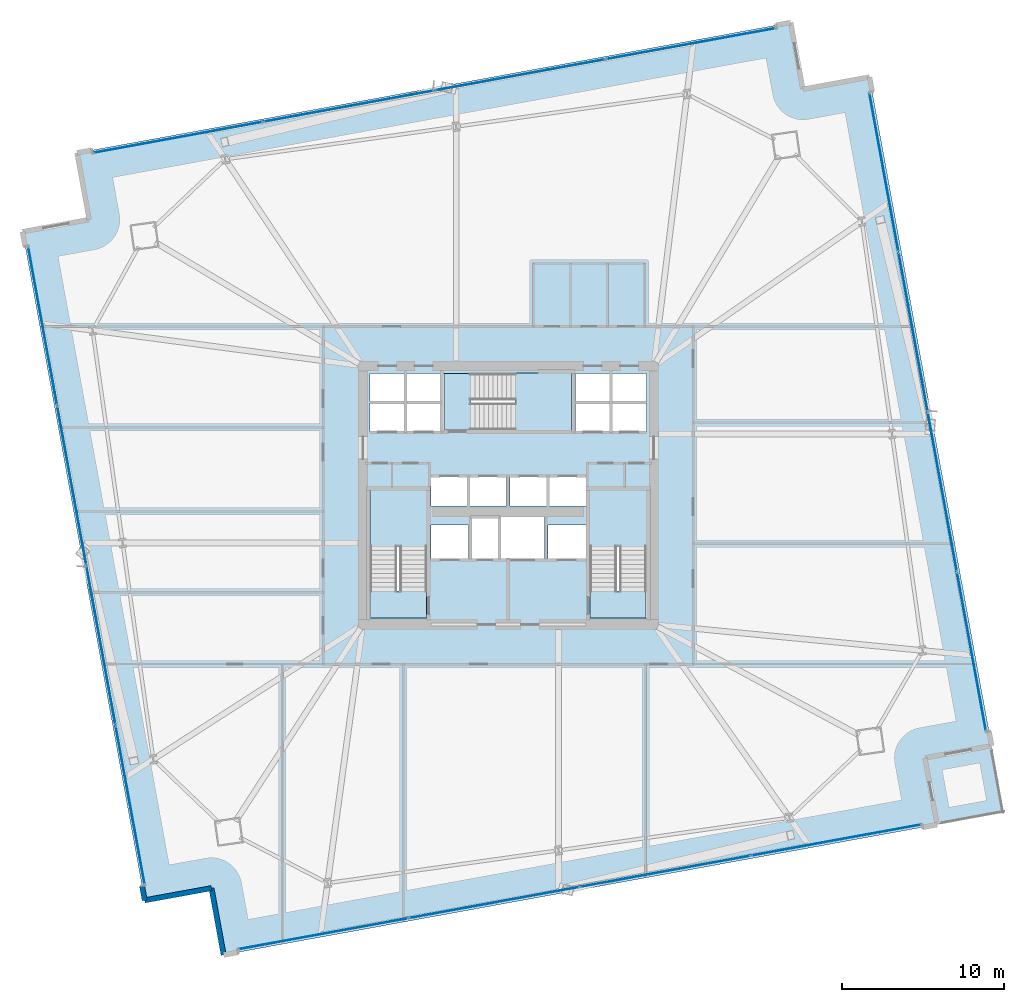
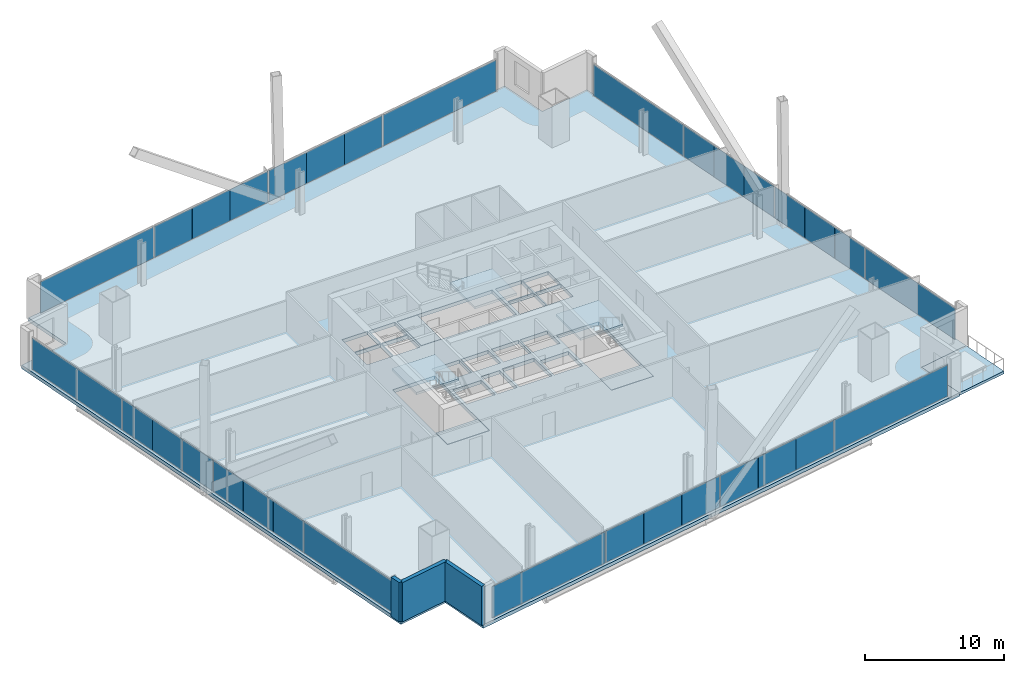
# One storey, part 25 of 34: 32 plates, 8 slabs, 3 walls, 7 elements without a shape of their own.
"""IFC4 building model written with IfcOpenShell, lengths in metres."""

from ifc_helpers import new_model, si_unit, direction, frame, frame_2d, origin, origin_2d, place, context, subcontext, project, spatial, polyline, rectangle, outline, extrude, source, transform, mapped, material, layer, layer_set, type_object, element, aggregate, save


model = new_model("IFC4")

# Units and contexts
model_context = context("Model", 3, precision=1e-05, world=origin(), true_north=direction((0.0, 1.0)))
body_context = subcontext(model_context, "Body", "Model", "MODEL_VIEW")
ifc_project = project(units=[si_unit("LENGTHUNIT", "METRE"), si_unit("AREAUNIT", "SQUARE_METRE"), si_unit("VOLUMEUNIT", "CUBIC_METRE"), si_unit("PLANEANGLEUNIT", "RADIAN"), si_unit("MASSUNIT", "GRAM", prefix="KILO")], contexts=[model_context])

# Site, building, storey
site_placement = place(None, origin())
site = spatial("IfcSite", under=ifc_project, at=site_placement, CompositionType="ELEMENT")
building_placement = place(site_placement, origin())
building = spatial("IfcBuilding", under=site, at=building_placement, Name="Haldenkirk Collegiate Tower", CompositionType="ELEMENT")
storey_placement = place(building_placement, frame((0.0, 0.0, 62.699951171875)))
storey = spatial("IfcBuildingStorey", under=building, at=storey_placement, Name="L14", CompositionType="ELEMENT", Elevation=62.699951171875)

# Slab
ifc_material_1 = material(Name="Concrete f'c 40 MPa", Category="concrete")
ifc_layer_1 = layer(ifc_material_1, 0.31005859375)
ifc_layer_set_1 = layer_set([ifc_layer_1], Name="Concrete f'c 40 MPa")
slab_type_1 = type_object("IfcSlabType", Name="SLB-FLR-310", PredefinedType="FLOOR", material=ifc_layer_set_1)
slab_1_placement = place(storey_placement, frame((0.0, 0.0, -0.31005859375)))
element("IfcSlab", 1, at=slab_1_placement, inside=storey, type_object=slab_type_1, Name="L14 composite structural floor slab", PredefinedType="FLOOR", context=body_context, shape_type="SweptSolid", body=[
    extrude(outline(polyline([(18.37548828125, -2.454345703125), (62.544921875, 5.6123046875), (61.790283203125, 9.743896484375), (65.921875, 10.49853515625), (58.362548828125, 51.888916015625), (54.23095703125, 51.134521484375), (53.476318359375, 55.26611328125), (9.306884765625, 47.19921875), (10.0615234375, 43.067626953125), (5.929931640625, 42.31298828125), (13.489013671875, 0.922607421875), (17.620849609375, 1.67724609375), (18.37548828125, -2.454345703125)]), holes=[polyline([(27.449951171875, 18.39990234375), (30.949951171875, 18.39990234375), (30.949951171875, 26.300048828125), (27.449951171875, 26.300048828125), (27.449951171875, 18.39990234375)]), polyline([(41.050048828125, 18.39990234375), (44.550048828125, 18.39990234375), (44.550048828125, 26.300048828125), (41.050048828125, 26.300048828125), (41.050048828125, 18.39990234375)]), polyline([(32.0, 30.050048828125), (39.89990234375, 30.050048828125), (39.89990234375, 33.550048828125), (32.0, 33.550048828125), (32.0, 30.050048828125)]), polyline([(33.75, 22.10009765625), (35.35009765625, 22.10009765625), (35.35009765625, 24.550048828125), (33.75, 24.550048828125), (33.75, 22.10009765625)]), polyline([(27.449951171875, 29.949951171875), (29.580078125, 29.949951171875), (29.580078125, 31.699951171875), (27.449951171875, 31.699951171875), (27.449951171875, 29.949951171875)]), polyline([(29.679931640625, 29.949951171875), (31.85009765625, 29.949951171875), (31.85009765625, 31.699951171875), (29.679931640625, 31.699951171875), (29.679931640625, 29.949951171875)]), polyline([(27.449951171875, 31.800048828125), (29.580078125, 31.800048828125), (29.580078125, 33.550048828125), (27.449951171875, 33.550048828125), (27.449951171875, 31.800048828125)]), polyline([(29.679931640625, 31.800048828125), (31.85009765625, 31.800048828125), (31.85009765625, 33.550048828125), (29.679931640625, 33.550048828125), (29.679931640625, 31.800048828125)]), polyline([(40.14990234375, 29.949951171875), (42.320068359375, 29.949951171875), (42.320068359375, 31.699951171875), (40.14990234375, 31.699951171875), (40.14990234375, 29.949951171875)]), polyline([(42.419921875, 29.949951171875), (44.550048828125, 29.949951171875), (44.550048828125, 31.699951171875), (42.419921875, 31.699951171875), (42.419921875, 29.949951171875)]), polyline([(40.14990234375, 31.800048828125), (42.320068359375, 31.800048828125), (42.320068359375, 33.550048828125), (40.14990234375, 33.550048828125), (40.14990234375, 31.800048828125)]), polyline([(42.419921875, 31.800048828125), (44.550048828125, 31.800048828125), (44.550048828125, 33.550048828125), (42.419921875, 33.550048828125), (42.419921875, 31.800048828125)]), polyline([(31.199951171875, 25.35009765625), (33.47998046875, 25.35009765625), (33.47998046875, 27.14990234375), (31.199951171875, 27.14990234375), (31.199951171875, 25.35009765625)]), polyline([(33.60009765625, 25.35009765625), (35.8798828125, 25.35009765625), (35.8798828125, 27.14990234375), (33.60009765625, 27.14990234375), (33.60009765625, 25.35009765625)]), polyline([(36.1201171875, 25.35009765625), (38.39990234375, 25.35009765625), (38.39990234375, 27.14990234375), (36.1201171875, 27.14990234375), (36.1201171875, 25.35009765625)]), polyline([(38.52001953125, 25.35009765625), (40.800048828125, 25.35009765625), (40.800048828125, 27.14990234375), (38.52001953125, 27.14990234375), (38.52001953125, 25.35009765625)]), polyline([(31.199951171875, 22.10009765625), (33.550048828125, 22.10009765625), (33.550048828125, 24.14990234375), (31.199951171875, 24.14990234375), (31.199951171875, 22.10009765625)]), polyline([(38.449951171875, 22.10009765625), (40.800048828125, 22.10009765625), (40.800048828125, 24.14990234375), (38.449951171875, 24.14990234375), (38.449951171875, 22.10009765625)]), polyline([(35.550048828125, 22.10009765625), (38.25, 22.10009765625), (38.25, 24.64990234375), (35.550048828125, 24.64990234375), (35.550048828125, 22.10009765625)])]), origin(), (0.0, 0.0, 1.0), 0.31005859375),
])

# Stair, slab
stair_type = type_object("IfcStairType", Name="STR-DOGLEG-1650", PredefinedType="HALF_TURN_STAIR", material=ifc_material_1)
stair_1_placement = place(storey_placement, origin())
stair_1 = element("IfcStair", 2, at=stair_1_placement, inside=storey, type_object=stair_type, Name="L14 Core Exit Stair ST-1", PredefinedType="HALF_TURN_STAIR")
ifc_layer_2 = layer(ifc_material_1, 0.199951171875)
ifc_layer_set_2 = layer_set([ifc_layer_2], Name="Concrete f'c 40 MPa")
slab_type_2 = type_object("IfcSlabType", Name="SLB-LANDING-200", PredefinedType="LANDING", material=ifc_layer_set_2)
slab_2_placement = place(storey_placement, frame((0.0, 0.0, 1.675048828125)))
slab_2 = element("IfcSlab", 3, at=slab_2_placement, type_object=slab_type_2, Name="ST-1 landing 1", PredefinedType="LANDING", context=body_context, shape_type="SweptSolid", body=[
    extrude(outline(polyline([(30.97509765625, 22.824951171875), (27.425048828125, 22.824951171875), (27.425048828125, 26.324951171875), (30.97509765625, 26.324951171875), (30.97509765625, 22.824951171875)])), origin(), (0.0, 0.0, 1.0), 0.199951171875),
])
aggregate(stair_1, [slab_2])

stair_2_placement = place(storey_placement, origin())
stair_2 = element("IfcStair", 4, at=stair_2_placement, inside=storey, type_object=stair_type, Name="L14 Core Exit Stair ST-2", PredefinedType="HALF_TURN_STAIR")
slab_3_placement = place(storey_placement, frame((0.0, 0.0, 1.675048828125)))
slab_3 = element("IfcSlab", 5, at=slab_3_placement, type_object=slab_type_2, Name="ST-2 landing 1", PredefinedType="LANDING", context=body_context, shape_type="SweptSolid", body=[
    extrude(outline(polyline([(44.574951171875, 22.824951171875), (41.02490234375, 22.824951171875), (41.02490234375, 26.324951171875), (44.574951171875, 26.324951171875), (44.574951171875, 22.824951171875)])), origin(), (0.0, 0.0, 1.0), 0.199951171875),
])
aggregate(stair_2, [slab_3])

stair_3_placement = place(storey_placement, origin())
stair_3 = element("IfcStair", 6, at=stair_3_placement, inside=storey, type_object=stair_type, Name="L14 Core Exit Stair ST-3", PredefinedType="HALF_TURN_STAIR")
slab_4_placement = place(storey_placement, frame((0.0, 0.0, 1.675048828125)))
slab_4 = element("IfcSlab", 7, at=slab_4_placement, type_object=slab_type_2, Name="ST-3 landing 1", PredefinedType="LANDING", context=body_context, shape_type="SweptSolid", body=[
    extrude(outline(polyline([(36.425048828125, 30.02490234375), (36.425048828125, 33.574951171875), (39.925048828125, 33.574951171875), (39.925048828125, 30.02490234375), (36.425048828125, 30.02490234375)])), origin(), (0.0, 0.0, 1.0), 0.199951171875),
])
aggregate(stair_3, [slab_4])

# Slabs
ifc_layer_3 = layer(ifc_material_1, 0.25)
ifc_layer_set_3 = layer_set([ifc_layer_3], Name="Concrete f'c 40 MPa")
slab_type_3 = type_object("IfcSlabType", Name="SLB-STAIRLAND-250", PredefinedType="LANDING", material=ifc_layer_set_3)
slab_5_placement = place(storey_placement, frame((0.0, 0.0, -0.25)))
element("IfcSlab", 8, at=slab_5_placement, inside=storey, type_object=slab_type_3, Name="L14 stair ST1 structural floor landing slab", PredefinedType="LANDING", context=body_context, shape_type="SweptSolid", body=[
    extrude(outline(polyline([(27.4599609375, 18.409912109375), (30.93994140625, 18.409912109375), (30.93994140625, 20.080078125), (27.4599609375, 20.080078125), (27.4599609375, 18.409912109375)])), origin(), (0.0, 0.0, 1.0), 0.25),
])
slab_6_placement = place(storey_placement, frame((0.0, 0.0, -0.25)))
element("IfcSlab", 9, at=slab_6_placement, inside=storey, type_object=slab_type_3, Name="L14 stair ST2 structural floor landing slab", PredefinedType="LANDING", context=body_context, shape_type="SweptSolid", body=[
    extrude(outline(polyline([(41.06005859375, 18.409912109375), (44.5400390625, 18.409912109375), (44.5400390625, 20.080078125), (41.06005859375, 20.080078125), (41.06005859375, 18.409912109375)])), origin(), (0.0, 0.0, 1.0), 0.25),
])
slab_7_placement = place(storey_placement, frame((0.0, 0.0, -0.25)))
element("IfcSlab", 10, at=slab_7_placement, inside=storey, type_object=slab_type_3, Name="L14 stair ST3 structural floor landing slab", PredefinedType="LANDING", context=body_context, shape_type="SweptSolid", body=[
    extrude(outline(polyline([(32.010009765625, 30.06005859375), (33.679931640625, 30.06005859375), (33.679931640625, 33.5400390625), (32.010009765625, 33.5400390625), (32.010009765625, 30.06005859375)])), origin(), (0.0, 0.0, 1.0), 0.25),
])
ifc_layer_4 = layer(ifc_material_1, 0.22998046875)
ifc_layer_set_4 = layer_set([ifc_layer_4], Name="Concrete f'c 40 MPa")
slab_type_4 = type_object("IfcSlabType", Name="SLB-TERR-SPIRAL-230", PredefinedType="FLOOR", material=ifc_layer_set_4)
slab_8_placement = place(storey_placement, frame((0.0, 0.0, -0.22998046875)))
element("IfcSlab", 11, at=slab_8_placement, inside=storey, type_object=slab_type_4, Name="L14 spiralling corner terrace slab", PredefinedType="FLOOR", context=body_context, shape_type="SweptSolid", body=[
    extrude(outline(polyline([(62.544921875, 5.6123046875), (66.676513671875, 6.366943359375), (65.921875, 10.49853515625), (61.790283203125, 9.743896484375), (62.544921875, 5.6123046875)])), origin(), (0.0, 0.0, 1.0), 0.22998046875),
])

# Curtain wall, plates
ifc_material_2 = material(Name="Anodised architectural bronze aluminium", Category="aluminium")
curtain_wall_type_1 = type_object("IfcCurtainWallType", Name="CW-SYS2-CONCAVE", PredefinedType="USERDEFINED", material=ifc_material_2)
curtain_wall_1_placement = place(storey_placement, origin())
curtain_wall_1 = element("IfcCurtainWall", 12, at=curtain_wall_1_placement, inside=storey, type_object=curtain_wall_type_1, Name="L14 South concave recessed bronze-anodised curtain wall", ObjectType="UNITISED CURTAIN WALL", PredefinedType="USERDEFINED")
ifc_material_3 = material(Name="Low-E argon triple insulating glass", Category="glass")
ifc_layer_5 = layer(ifc_material_3, 0.0419921875)
ifc_layer_set_5 = layer_set([ifc_layer_5], Name="Low-E argon triple insulating glass")
plate_type_1 = type_object("IfcPlateType", Name="CW-PNL-02", PredefinedType="CURTAIN_PANEL", material=ifc_layer_set_5)
shared_shape_1 = source(origin(), body_context, "Body", "SweptSolid", [
    extrude(rectangle(XDim=3.55419921875, YDim=0.0419921875, at=origin_2d()), origin(), (0.0, 0.0, 1.0), 2.740966796875),
])
plate_1_placement = place(storey_placement, frame((49.242431640625, 3.365966796875, 0.0751953125), z_axis=(0.0, 0.0, 1.0), x_axis=(-0.983728872067, -0.179659417405, 0.0)))
plate_1 = element("IfcPlate", 13, at=plate_1_placement, type_object=plate_type_1, Name="CW-02 panel 2.1a", PredefinedType="CURTAIN_PANEL", context=body_context, shape_type="MappedRepresentation", body=[
    mapped(shared_shape_1, transform((0.0, 0.0, 0.0), x_axis=(1.0, 0.0, 0.0), y_axis=(0.0, 1.0, 0.0), z_axis=(0.0, 0.0, 1.0), scale=1.0)),
])
ifc_material_4 = material(Name="Bronze-anodised insulated aluminium spandrel panel", Category="aluminium")
ifc_layer_6 = layer(ifc_material_4, 0.0419921875)
ifc_layer_set_6 = layer_set([ifc_layer_6], Name="Bronze-anodised insulated aluminium spandrel panel")
plate_type_2 = type_object("IfcPlateType", Name="CW-SPD-02", PredefinedType="CURTAIN_PANEL", material=ifc_layer_set_6)
plate_2_placement = place(storey_placement, frame((42.212890625, 2.08203125, 0.0751953125), z_axis=(0.0, 0.0, 1.0), x_axis=(-0.983728872067, -0.179659417405, 0.0)))
plate_2 = element("IfcPlate", 14, at=plate_2_placement, type_object=plate_type_2, Name="CW-02 spandrel panel 2.1c", PredefinedType="CURTAIN_PANEL", context=body_context, shape_type="MappedRepresentation", body=[
    mapped(shared_shape_1, transform((0.0, 0.0, 0.0), x_axis=(1.0, 0.0, 0.0), y_axis=(0.0, 1.0, 0.0), z_axis=(0.0, 0.0, 1.0), scale=1.0)),
])
plate_3_placement = place(storey_placement, frame((38.642578125, 1.429931640625, 0.0751953125), z_axis=(0.0, 0.0, 1.0), x_axis=(-0.983728872067, -0.179659417405, 0.0)))
plate_3 = element("IfcPlate", 15, at=plate_3_placement, type_object=plate_type_2, Name="CW-02 spandrel panel 3.1a", PredefinedType="CURTAIN_PANEL", context=body_context, shape_type="MappedRepresentation", body=[
    mapped(shared_shape_1, transform((0.0, 0.0, 0.0), x_axis=(1.0, 0.0, 0.0), y_axis=(0.0, 1.0, 0.0), z_axis=(0.0, 0.0, 1.0), scale=1.0)),
])
plate_4_placement = place(storey_placement, frame((31.61328125, 0.146240234375, 0.0751953125), z_axis=(0.0, 0.0, 1.0), x_axis=(-0.983728872067, -0.179659417405, 0.0)))
plate_4 = element("IfcPlate", 16, at=plate_4_placement, type_object=plate_type_1, Name="CW-02 panel 3.1c", PredefinedType="CURTAIN_PANEL", context=body_context, shape_type="MappedRepresentation", body=[
    mapped(shared_shape_1, transform((0.0, 0.0, 0.0), x_axis=(1.0, 0.0, 0.0), y_axis=(0.0, 1.0, 0.0), z_axis=(0.0, 0.0, 1.0), scale=1.0)),
])
shared_shape_2 = source(origin(), body_context, "Body", "SweptSolid", [
    extrude(rectangle(XDim=3.541748046875, YDim=0.0419921875, at=origin_2d()), origin(), (0.0, 0.0, 1.0), 2.740966796875),
])
plate_5_placement = place(storey_placement, frame((45.7275390625, 2.72412109375, 0.0751953125), z_axis=(0.0, 0.0, 1.0), x_axis=(-0.983728872067, -0.179659417405, 0.0)))
plate_5 = element("IfcPlate", 17, at=plate_5_placement, type_object=plate_type_2, Name="CW-02 spandrel panel 2.1b", PredefinedType="CURTAIN_PANEL", context=body_context, shape_type="MappedRepresentation", body=[
    mapped(shared_shape_2, transform((0.0, 0.0, 0.0), x_axis=(1.0, 0.0, 0.0), y_axis=(0.0, 1.0, 0.0), z_axis=(0.0, 0.0, 1.0), scale=1.0)),
])
plate_6_placement = place(storey_placement, frame((35.1279296875, 0.7880859375, 0.0751953125), z_axis=(0.0, 0.0, 1.0), x_axis=(-0.983728872067, -0.179659417405, 0.0)))
plate_6 = element("IfcPlate", 18, at=plate_6_placement, type_object=plate_type_1, Name="CW-02 panel 3.1b", PredefinedType="CURTAIN_PANEL", context=body_context, shape_type="MappedRepresentation", body=[
    mapped(shared_shape_2, transform((0.0, 0.0, 0.0), x_axis=(1.0, 0.0, 0.0), y_axis=(0.0, 1.0, 0.0), z_axis=(0.0, 0.0, 1.0), scale=1.0)),
])

curtain_wall_type_2 = type_object("IfcCurtainWallType", Name="CW-SYS1-CONVEX-LOW", PredefinedType="USERDEFINED", material=ifc_material_2)
curtain_wall_2_placement = place(storey_placement, origin())
curtain_wall_2 = element("IfcCurtainWall", 19, at=curtain_wall_2_placement, inside=storey, type_object=curtain_wall_type_2, Name="L14 Lower tower convex bronze-framed unitised curtain wall", ObjectType="UNITISED CURTAIN WALL", PredefinedType="USERDEFINED")
ifc_layer_7 = layer(ifc_material_3, 0.0439453125)
ifc_layer_set_7 = layer_set([ifc_layer_7], Name="Low-E argon triple insulating glass")
plate_type_3 = type_object("IfcPlateType", Name="CW-PNL-1A", PredefinedType="CURTAIN_PANEL", material=ifc_layer_set_7)
shared_shape_3 = source(origin(), body_context, "Body", "SweptSolid", [
    extrude(rectangle(XDim=9.94873046875, YDim=0.0439453125, at=origin_2d()), origin(), (0.0, 0.0, 1.0), 2.73095703125),
])
plate_7_placement = place(storey_placement, frame((59.25537109375, 45.9990234375, 0.080078125), z_axis=(0.0, 0.0, 1.0), x_axis=(0.179663019113, -0.983728214276, 0.0)))
plate_7 = element("IfcPlate", 20, at=plate_7_placement, type_object=plate_type_3, Name="CW-1A panel 1.1", PredefinedType="CURTAIN_PANEL", context=body_context, shape_type="MappedRepresentation", body=[
    mapped(shared_shape_3, transform((0.0, 0.0, 0.0), x_axis=(1.0, 0.0, 0.0), y_axis=(0.0, 1.0, 0.0), z_axis=(0.0, 0.0, 1.0), scale=1.0)),
])
plate_8_placement = place(storey_placement, frame((64.675048828125, 16.32373046875, 0.080078125), z_axis=(0.0, 0.0, 1.0), x_axis=(0.179663019113, -0.983728214276, 0.0)))
plate_8 = element("IfcPlate", 21, at=plate_8_placement, type_object=plate_type_3, Name="CW-1A panel 4.1", PredefinedType="CURTAIN_PANEL", context=body_context, shape_type="MappedRepresentation", body=[
    mapped(shared_shape_3, transform((0.0, 0.0, 0.0), x_axis=(1.0, 0.0, 0.0), y_axis=(0.0, 1.0, 0.0), z_axis=(0.0, 0.0, 1.0), scale=1.0)),
])

curtain_wall_3_placement = place(storey_placement, origin())
curtain_wall_3 = element("IfcCurtainWall", 22, at=curtain_wall_3_placement, inside=storey, type_object=curtain_wall_type_2, Name="L14 Lower tower convex bronze-framed unitised curtain wall", ObjectType="UNITISED CURTAIN WALL", PredefinedType="USERDEFINED")
plate_9_placement = place(storey_placement, frame((12.596435546875, 6.8125, 0.080078125), z_axis=(0.0, 0.0, 1.0), x_axis=(-0.179660177491, 0.983728733251, 0.0)))
plate_9 = element("IfcPlate", 23, at=plate_9_placement, type_object=plate_type_3, Name="CW-1A panel 1.1", PredefinedType="CURTAIN_PANEL", context=body_context, shape_type="MappedRepresentation", body=[
    mapped(shared_shape_3, transform((0.0, 0.0, 0.0), x_axis=(1.0, 0.0, 0.0), y_axis=(0.0, 1.0, 0.0), z_axis=(0.0, 0.0, 1.0), scale=1.0)),
])
plate_10_placement = place(storey_placement, frame((7.1767578125, 36.48779296875, 0.080078125), z_axis=(0.0, 0.0, 1.0), x_axis=(-0.179660177491, 0.983728733251, 0.0)))
plate_10 = element("IfcPlate", 24, at=plate_10_placement, type_object=plate_type_3, Name="CW-1A panel 4.1", PredefinedType="CURTAIN_PANEL", context=body_context, shape_type="MappedRepresentation", body=[
    mapped(shared_shape_3, transform((0.0, 0.0, 0.0), x_axis=(1.0, 0.0, 0.0), y_axis=(0.0, 1.0, 0.0), z_axis=(0.0, 0.0, 1.0), scale=1.0)),
])

# Plate
shared_shape_4 = source(origin(), body_context, "Body", "SweptSolid", [
    extrude(rectangle(XDim=3.317138671875, YDim=0.0439453125, at=origin_2d()), origin(), (0.0, 0.0, 1.0), 2.73095703125),
])
plate_11_placement = place(storey_placement, frame((60.461181640625, 39.3955078125, 0.080078125), z_axis=(0.0, 0.0, 1.0), x_axis=(0.179663019113, -0.983728214276, 0.0)))
plate_11 = element("IfcPlate", 25, at=plate_11_placement, type_object=plate_type_3, Name="CW-1A panel 2.1a", PredefinedType="CURTAIN_PANEL", context=body_context, shape_type="MappedRepresentation", body=[
    mapped(shared_shape_4, transform((0.0, 0.0, 0.0), x_axis=(1.0, 0.0, 0.0), y_axis=(0.0, 1.0, 0.0), z_axis=(0.0, 0.0, 1.0), scale=1.0)),
])

ifc_layer_8 = layer(ifc_material_4, 0.0439453125)
ifc_layer_set_8 = layer_set([ifc_layer_8], Name="Bronze-anodised insulated aluminium spandrel panel")
plate_type_4 = type_object("IfcPlateType", Name="CW-SPD-1A", PredefinedType="CURTAIN_PANEL", material=ifc_layer_set_8)
plate_12_placement = place(storey_placement, frame((61.659912109375, 32.832275390625, 0.080078125), z_axis=(0.0, 0.0, 1.0), x_axis=(0.179663019113, -0.983728214276, 0.0)))
plate_12 = element("IfcPlate", 26, at=plate_12_placement, type_object=plate_type_4, Name="CW-1A spandrel panel 2.1c", PredefinedType="CURTAIN_PANEL", context=body_context, shape_type="MappedRepresentation", body=[
    mapped(shared_shape_4, transform((0.0, 0.0, 0.0), x_axis=(1.0, 0.0, 0.0), y_axis=(0.0, 1.0, 0.0), z_axis=(0.0, 0.0, 1.0), scale=1.0)),
])

plate_13_placement = place(storey_placement, frame((62.270263671875, 29.490478515625, 0.080078125), z_axis=(0.0, 0.0, 1.0), x_axis=(0.179663019113, -0.983728214276, 0.0)))
plate_13 = element("IfcPlate", 27, at=plate_13_placement, type_object=plate_type_4, Name="CW-1A spandrel panel 3.1a", PredefinedType="CURTAIN_PANEL", context=body_context, shape_type="MappedRepresentation", body=[
    mapped(shared_shape_4, transform((0.0, 0.0, 0.0), x_axis=(1.0, 0.0, 0.0), y_axis=(0.0, 1.0, 0.0), z_axis=(0.0, 0.0, 1.0), scale=1.0)),
])

plate_14_placement = place(storey_placement, frame((63.468994140625, 22.927490234375, 0.080078125), z_axis=(0.0, 0.0, 1.0), x_axis=(0.179663019113, -0.983728214276, 0.0)))
plate_14 = element("IfcPlate", 28, at=plate_14_placement, type_object=plate_type_3, Name="CW-1A panel 3.1c", PredefinedType="CURTAIN_PANEL", context=body_context, shape_type="MappedRepresentation", body=[
    mapped(shared_shape_4, transform((0.0, 0.0, 0.0), x_axis=(1.0, 0.0, 0.0), y_axis=(0.0, 1.0, 0.0), z_axis=(0.0, 0.0, 1.0), scale=1.0)),
])

plate_15_placement = place(storey_placement, frame((11.390380859375, 13.416015625, 0.080078125), z_axis=(0.0, 0.0, 1.0), x_axis=(-0.179660177491, 0.983728733251, 0.0)))
plate_15 = element("IfcPlate", 29, at=plate_15_placement, type_object=plate_type_3, Name="CW-1A panel 2.1a", PredefinedType="CURTAIN_PANEL", context=body_context, shape_type="MappedRepresentation", body=[
    mapped(shared_shape_4, transform((0.0, 0.0, 0.0), x_axis=(1.0, 0.0, 0.0), y_axis=(0.0, 1.0, 0.0), z_axis=(0.0, 0.0, 1.0), scale=1.0)),
])

plate_16_placement = place(storey_placement, frame((10.19189453125, 19.979248046875, 0.080078125), z_axis=(0.0, 0.0, 1.0), x_axis=(-0.179660177491, 0.983728733251, 0.0)))
plate_16 = element("IfcPlate", 30, at=plate_16_placement, type_object=plate_type_4, Name="CW-1A spandrel panel 2.1c", PredefinedType="CURTAIN_PANEL", context=body_context, shape_type="MappedRepresentation", body=[
    mapped(shared_shape_4, transform((0.0, 0.0, 0.0), x_axis=(1.0, 0.0, 0.0), y_axis=(0.0, 1.0, 0.0), z_axis=(0.0, 0.0, 1.0), scale=1.0)),
])

plate_17_placement = place(storey_placement, frame((9.581298828125, 23.321044921875, 0.080078125), z_axis=(0.0, 0.0, 1.0), x_axis=(-0.179660177491, 0.983728733251, 0.0)))
plate_17 = element("IfcPlate", 31, at=plate_17_placement, type_object=plate_type_4, Name="CW-1A spandrel panel 3.1a", PredefinedType="CURTAIN_PANEL", context=body_context, shape_type="MappedRepresentation", body=[
    mapped(shared_shape_4, transform((0.0, 0.0, 0.0), x_axis=(1.0, 0.0, 0.0), y_axis=(0.0, 1.0, 0.0), z_axis=(0.0, 0.0, 1.0), scale=1.0)),
])

plate_18_placement = place(storey_placement, frame((8.3828125, 29.884033203125, 0.080078125), z_axis=(0.0, 0.0, 1.0), x_axis=(-0.179660177491, 0.983728733251, 0.0)))
plate_18 = element("IfcPlate", 32, at=plate_18_placement, type_object=plate_type_3, Name="CW-1A panel 3.1c", PredefinedType="CURTAIN_PANEL", context=body_context, shape_type="MappedRepresentation", body=[
    mapped(shared_shape_4, transform((0.0, 0.0, 0.0), x_axis=(1.0, 0.0, 0.0), y_axis=(0.0, 1.0, 0.0), z_axis=(0.0, 0.0, 1.0), scale=1.0)),
])

shared_shape_5 = source(origin(), body_context, "Body", "SweptSolid", [
    extrude(rectangle(XDim=3.3046875, YDim=0.0439453125, at=origin_2d()), origin(), (0.0, 0.0, 1.0), 2.73095703125),
])
plate_19_placement = place(storey_placement, frame((61.060791015625, 36.114013671875, 0.080078125), z_axis=(0.0, 0.0, 1.0), x_axis=(0.179663019113, -0.983728214276, 0.0)))
plate_19 = element("IfcPlate", 33, at=plate_19_placement, type_object=plate_type_4, Name="CW-1A spandrel panel 2.1b", PredefinedType="CURTAIN_PANEL", context=body_context, shape_type="MappedRepresentation", body=[
    mapped(shared_shape_5, transform((0.0, 0.0, 0.0), x_axis=(1.0, 0.0, 0.0), y_axis=(0.0, 1.0, 0.0), z_axis=(0.0, 0.0, 1.0), scale=1.0)),
])

plate_20_placement = place(storey_placement, frame((62.86962890625, 26.208984375, 0.080078125), z_axis=(0.0, 0.0, 1.0), x_axis=(0.179663019113, -0.983728214276, 0.0)))
plate_20 = element("IfcPlate", 34, at=plate_20_placement, type_object=plate_type_3, Name="CW-1A panel 3.1b", PredefinedType="CURTAIN_PANEL", context=body_context, shape_type="MappedRepresentation", body=[
    mapped(shared_shape_5, transform((0.0, 0.0, 0.0), x_axis=(1.0, 0.0, 0.0), y_axis=(0.0, 1.0, 0.0), z_axis=(0.0, 0.0, 1.0), scale=1.0)),
])

aggregate(curtain_wall_2, [plate_7, plate_11, plate_19, plate_12, plate_13, plate_20, plate_14, plate_8])

plate_21_placement = place(storey_placement, frame((10.791015625, 16.697509765625, 0.080078125), z_axis=(0.0, 0.0, 1.0), x_axis=(-0.179660177491, 0.983728733251, 0.0)))
plate_21 = element("IfcPlate", 35, at=plate_21_placement, type_object=plate_type_4, Name="CW-1A spandrel panel 2.1b", PredefinedType="CURTAIN_PANEL", context=body_context, shape_type="MappedRepresentation", body=[
    mapped(shared_shape_5, transform((0.0, 0.0, 0.0), x_axis=(1.0, 0.0, 0.0), y_axis=(0.0, 1.0, 0.0), z_axis=(0.0, 0.0, 1.0), scale=1.0)),
])

plate_22_placement = place(storey_placement, frame((8.982177734375, 26.6025390625, 0.080078125), z_axis=(0.0, 0.0, 1.0), x_axis=(-0.179660177491, 0.983728733251, 0.0)))
plate_22 = element("IfcPlate", 36, at=plate_22_placement, type_object=plate_type_3, Name="CW-1A panel 3.1b", PredefinedType="CURTAIN_PANEL", context=body_context, shape_type="MappedRepresentation", body=[
    mapped(shared_shape_5, transform((0.0, 0.0, 0.0), x_axis=(1.0, 0.0, 0.0), y_axis=(0.0, 1.0, 0.0), z_axis=(0.0, 0.0, 1.0), scale=1.0)),
])

aggregate(curtain_wall_3, [plate_9, plate_15, plate_21, plate_16, plate_17, plate_22, plate_18, plate_10])

# Curtain wall, plates
curtain_wall_4_placement = place(storey_placement, origin())
curtain_wall_4 = element("IfcCurtainWall", 37, at=curtain_wall_4_placement, inside=storey, type_object=curtain_wall_type_2, Name="L14 Lower tower convex bronze-framed unitised curtain wall", ObjectType="UNITISED CURTAIN WALL", PredefinedType="USERDEFINED")
shared_shape_6 = source(origin(), body_context, "Body", "SweptSolid", [
    extrude(rectangle(XDim=10.655029296875, YDim=0.0439453125, at=origin_2d()), origin(), (0.0, 0.0, 1.0), 2.73095703125),
])
plate_23_placement = place(storey_placement, frame((15.544189453125, 48.155517578125, 0.080078125), z_axis=(0.0, 0.0, 1.0), x_axis=(0.983728872067, 0.179659417405, 0.0)))
plate_23 = element("IfcPlate", 38, at=plate_23_placement, type_object=plate_type_3, Name="CW-1A panel 1.1", PredefinedType="CURTAIN_PANEL", context=body_context, shape_type="MappedRepresentation", body=[
    mapped(shared_shape_6, transform((0.0, 0.0, 0.0), x_axis=(1.0, 0.0, 0.0), y_axis=(0.0, 1.0, 0.0), z_axis=(0.0, 0.0, 1.0), scale=1.0)),
])
plate_24_placement = place(storey_placement, frame((47.3037109375, 53.955810546875, 0.080078125), z_axis=(0.0, 0.0, 1.0), x_axis=(0.983728872067, 0.179659417405, 0.0)))
plate_24 = element("IfcPlate", 39, at=plate_24_placement, type_object=plate_type_3, Name="CW-1A panel 4.1", PredefinedType="CURTAIN_PANEL", context=body_context, shape_type="MappedRepresentation", body=[
    mapped(shared_shape_6, transform((0.0, 0.0, 0.0), x_axis=(1.0, 0.0, 0.0), y_axis=(0.0, 1.0, 0.0), z_axis=(0.0, 0.0, 1.0), scale=1.0)),
])
shared_shape_7 = source(origin(), body_context, "Body", "SweptSolid", [
    extrude(rectangle(XDim=3.552490234375, YDim=0.0439453125, at=origin_2d()), origin(), (0.0, 0.0, 1.0), 2.73095703125),
])
plate_25_placement = place(storey_placement, frame((22.611083984375, 49.446044921875, 0.080078125), z_axis=(0.0, 0.0, 1.0), x_axis=(0.983728872067, 0.179659417405, 0.0)))
plate_25 = element("IfcPlate", 40, at=plate_25_placement, type_object=plate_type_3, Name="CW-1A panel 2.1a", PredefinedType="CURTAIN_PANEL", context=body_context, shape_type="MappedRepresentation", body=[
    mapped(shared_shape_7, transform((0.0, 0.0, 0.0), x_axis=(1.0, 0.0, 0.0), y_axis=(0.0, 1.0, 0.0), z_axis=(0.0, 0.0, 1.0), scale=1.0)),
])
plate_26_placement = place(storey_placement, frame((29.63720703125, 50.729248046875, 0.080078125), z_axis=(0.0, 0.0, 1.0), x_axis=(0.983728872067, 0.179659417405, 0.0)))
plate_26 = element("IfcPlate", 41, at=plate_26_placement, type_object=plate_type_4, Name="CW-1A spandrel panel 2.1c", PredefinedType="CURTAIN_PANEL", context=body_context, shape_type="MappedRepresentation", body=[
    mapped(shared_shape_7, transform((0.0, 0.0, 0.0), x_axis=(1.0, 0.0, 0.0), y_axis=(0.0, 1.0, 0.0), z_axis=(0.0, 0.0, 1.0), scale=1.0)),
])
plate_27_placement = place(storey_placement, frame((33.210693359375, 51.3818359375, 0.080078125), z_axis=(0.0, 0.0, 1.0), x_axis=(0.983728872067, 0.179659417405, 0.0)))
plate_27 = element("IfcPlate", 42, at=plate_27_placement, type_object=plate_type_4, Name="CW-1A spandrel panel 3.1a", PredefinedType="CURTAIN_PANEL", context=body_context, shape_type="MappedRepresentation", body=[
    mapped(shared_shape_7, transform((0.0, 0.0, 0.0), x_axis=(1.0, 0.0, 0.0), y_axis=(0.0, 1.0, 0.0), z_axis=(0.0, 0.0, 1.0), scale=1.0)),
])
plate_28_placement = place(storey_placement, frame((40.237060546875, 52.6650390625, 0.080078125), z_axis=(0.0, 0.0, 1.0), x_axis=(0.983728872067, 0.179659417405, 0.0)))
plate_28 = element("IfcPlate", 43, at=plate_28_placement, type_object=plate_type_3, Name="CW-1A panel 3.1c", PredefinedType="CURTAIN_PANEL", context=body_context, shape_type="MappedRepresentation", body=[
    mapped(shared_shape_7, transform((0.0, 0.0, 0.0), x_axis=(1.0, 0.0, 0.0), y_axis=(0.0, 1.0, 0.0), z_axis=(0.0, 0.0, 1.0), scale=1.0)),
])
shared_shape_8 = source(origin(), body_context, "Body", "SweptSolid", [
    extrude(rectangle(XDim=3.5400390625, YDim=0.0439453125, at=origin_2d()), origin(), (0.0, 0.0, 1.0), 2.73095703125),
])
plate_29_placement = place(storey_placement, frame((26.124267578125, 50.087646484375, 0.080078125), z_axis=(0.0, 0.0, 1.0), x_axis=(0.983728872067, 0.179659417405, 0.0)))
plate_29 = element("IfcPlate", 44, at=plate_29_placement, type_object=plate_type_4, Name="CW-1A spandrel panel 2.1b", PredefinedType="CURTAIN_PANEL", context=body_context, shape_type="MappedRepresentation", body=[
    mapped(shared_shape_8, transform((0.0, 0.0, 0.0), x_axis=(1.0, 0.0, 0.0), y_axis=(0.0, 1.0, 0.0), z_axis=(0.0, 0.0, 1.0), scale=1.0)),
])
plate_30_placement = place(storey_placement, frame((36.723876953125, 52.0234375, 0.080078125), z_axis=(0.0, 0.0, 1.0), x_axis=(0.983728872067, 0.179659417405, 0.0)))
plate_30 = element("IfcPlate", 45, at=plate_30_placement, type_object=plate_type_3, Name="CW-1A panel 3.1b", PredefinedType="CURTAIN_PANEL", context=body_context, shape_type="MappedRepresentation", body=[
    mapped(shared_shape_8, transform((0.0, 0.0, 0.0), x_axis=(1.0, 0.0, 0.0), y_axis=(0.0, 1.0, 0.0), z_axis=(0.0, 0.0, 1.0), scale=1.0)),
])
aggregate(curtain_wall_4, [plate_23, plate_25, plate_29, plate_26, plate_27, plate_30, plate_28, plate_24])

# Plate
shared_shape_9 = source(origin(), body_context, "Body", "SweptSolid", [
    extrude(rectangle(XDim=10.662353515625, YDim=0.0419921875, at=origin_2d()), origin(), (0.0, 0.0, 1.0), 2.740966796875),
])
plate_31_placement = place(storey_placement, frame((56.308837890625, 4.656494140625, 0.0751953125), z_axis=(0.0, 0.0, 1.0), x_axis=(-0.983728872067, -0.179659417405, 0.0)))
plate_31 = element("IfcPlate", 46, at=plate_31_placement, type_object=plate_type_1, Name="CW-02 panel 1.1", PredefinedType="CURTAIN_PANEL", context=body_context, shape_type="MappedRepresentation", body=[
    mapped(shared_shape_9, transform((0.0, 0.0, 0.0), x_axis=(1.0, 0.0, 0.0), y_axis=(0.0, 1.0, 0.0), z_axis=(0.0, 0.0, 1.0), scale=1.0)),
])

plate_32_placement = place(storey_placement, frame((24.546875, -1.144287109375, 0.0751953125), z_axis=(0.0, 0.0, 1.0), x_axis=(-0.983728872067, -0.179659417405, 0.0)))
plate_32 = element("IfcPlate", 47, at=plate_32_placement, type_object=plate_type_1, Name="CW-02 panel 4.1", PredefinedType="CURTAIN_PANEL", context=body_context, shape_type="MappedRepresentation", body=[
    mapped(shared_shape_9, transform((0.0, 0.0, 0.0), x_axis=(1.0, 0.0, 0.0), y_axis=(0.0, 1.0, 0.0), z_axis=(0.0, 0.0, 1.0), scale=1.0)),
])

aggregate(curtain_wall_1, [plate_31, plate_1, plate_5, plate_2, plate_3, plate_6, plate_4, plate_32])

# Walls
ifc_material_5 = material(Name="Precast concrete f'c 40 MPa", Category="concrete")
ifc_layer_9 = layer(ifc_material_5, 0.320068359375)
ifc_layer_set_9 = layer_set([ifc_layer_9], Name="Precast concrete f'c 40 MPa")
wall_type = type_object("IfcWallType", Name="WL-EXT-TWR-320", PredefinedType="STANDARD", material=ifc_layer_set_9)
wall_1_placement = place(storey_placement, frame((13.489013671875, 0.922607421875, 0.0), z_axis=(0.0, 0.0, 1.0), x_axis=(-0.179553705587, 0.983748172456, 0.0)))
element("IfcWall", 48, at=wall_1_placement, inside=storey, type_object=wall_type, Name="L14 precast corner pier WL", PredefinedType="STANDARD", context=body_context, shape_type="SweptSolid", body=[
    extrude(rectangle(XDim=0.900146484375, YDim=0.320068359375, at=frame_2d((0.4501953125, 0.0))), origin(), (0.0, 0.0, 1.0), 3.43994140625),
])
wall_2_placement = place(storey_placement, frame((17.620849609375, 1.67724609375, 0.0), z_axis=(0.0, 0.0, 1.0), x_axis=(-0.983727305975, -0.179667992364, 0.0)))
element("IfcWall", 49, at=wall_2_placement, inside=storey, type_object=wall_type, Name="L14 bronze precast notch wall 11", PredefinedType="STANDARD", context=body_context, shape_type="SweptSolid", body=[
    extrude(rectangle(XDim=4.2001953125, YDim=0.320068359375, at=frame_2d((2.10009765625, 0.0))), origin(), (0.0, 0.0, 1.0), 3.43994140625),
])
wall_3_placement = place(storey_placement, frame((18.37548828125, -2.454345703125, 0.0), z_axis=(0.0, 0.0, 1.0), x_axis=(-0.179678266411, 0.983725429467, 0.0)))
element("IfcWall", 50, at=wall_3_placement, inside=storey, type_object=wall_type, Name="L14 bronze precast notch wall 12", PredefinedType="STANDARD", context=body_context, shape_type="SweptSolid", body=[
    extrude(rectangle(XDim=4.199951171875, YDim=0.320068359375, at=frame_2d((2.10009765625, 0.0))), origin(), (0.0, 0.0, 1.0), 3.43994140625),
])

save(model, "model.ifc")
